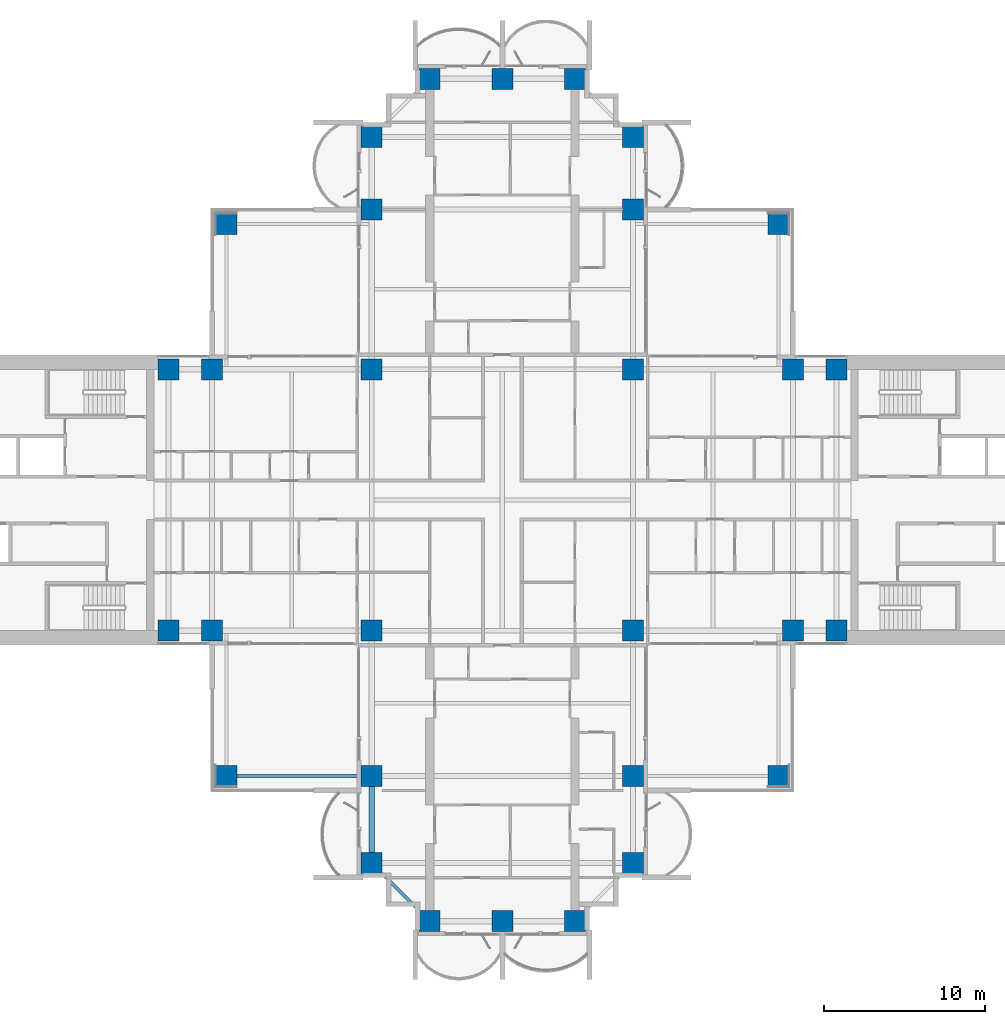
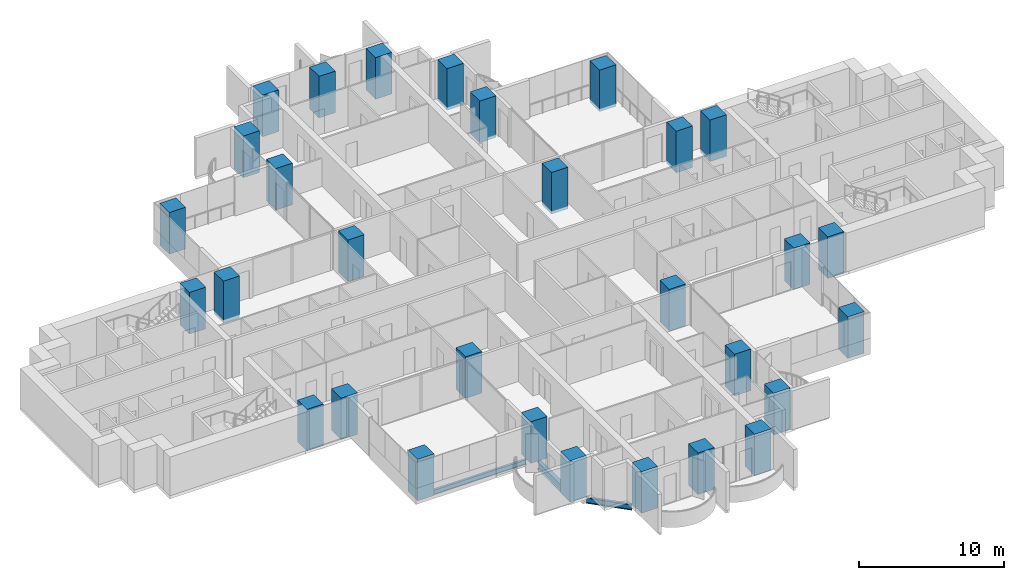
# One storey, part 1 of 21: 30 columns, 3 beams.
"""IFC4 building model written with IfcOpenShell, lengths in metres."""

from ifc_helpers import new_model, si_unit, direction, frame, origin, origin_2d, place, context, subcontext, project, spatial, rectangle, i_section, extrude, material, material_profile, profile_set, type_object, element, save


model = new_model("IFC4")

# Units and contexts
model_context = context("Model", 3, precision=1e-05, world=origin(), true_north=direction((0.0, 1.0)))
body_context = subcontext(model_context, "Body", "Model", "MODEL_VIEW")
ifc_project = project(units=[si_unit("LENGTHUNIT", "METRE"), si_unit("AREAUNIT", "SQUARE_METRE"), si_unit("VOLUMEUNIT", "CUBIC_METRE"), si_unit("PLANEANGLEUNIT", "RADIAN"), si_unit("MASSUNIT", "GRAM", prefix="KILO")], contexts=[model_context])

# Site, building, storey
site_placement = place(None, origin())
site = spatial("IfcSite", under=ifc_project, at=site_placement, CompositionType="ELEMENT")
building_placement = place(site_placement, origin())
building = spatial("IfcBuilding", under=site, at=building_placement, Name="Perihelion Cross Residences", CompositionType="ELEMENT")
storey_placement = place(building_placement, frame((0.0, 0.0, 54.0)))
storey = spatial("IfcBuildingStorey", under=building, at=storey_placement, Name="L10", CompositionType="ELEMENT", Elevation=54.0)

# Columns
ifc_material_1 = material(Name="Concrete C70/85", Category="concrete")
ifc_material_profile_1 = material_profile(ifc_material_1, rectangle(XDim=1.300048828125, YDim=1.300048828125, at=origin_2d()), Name="RC 1300x1300")
ifc_profile_set_1 = profile_set([ifc_material_profile_1], Name="Concrete C70/85")
column_type = type_object("IfcColumnType", Name="Reinforced concrete column 1300x1300 C70/85", PredefinedType="COLUMN", material=ifc_profile_set_1)
for number, where, z_axis, x_axis, name in (
    (1, (-20.699951171875, -8.10009765625, -0.25), (0.0, 0.0, 1.0), (1.0, 0.0, 0.0), "Column C017 L10 no. 1"),
    (2, (-20.699951171875, 8.10009765625, -0.25), (0.0, 0.0, 1.0), (1.0, 0.0, 0.0), "Column C010 L10 no. 1"),
    (3, (-18.0, -8.10009765625, -0.25), (0.0, 0.0, 1.0), (1.0, 0.0, 0.0), "Column C018 L10 no. 1"),
    (4, (-18.0, 8.10009765625, -0.25), (0.0, 0.0, 1.0), (1.0, 0.0, 0.0), "Column C011 L10 no. 1"),
    (5, (-8.10009765625, -22.5, -0.25), (0.0, 0.0, 1.0), (1.0, 0.0, 0.0), "Column C040 L10 no. 1"),
    (6, (-8.10009765625, -17.10009765625, -0.25), (0.0, 0.0, 1.0), (1.0, 0.0, 0.0), "Column C031 L10 no. 1"),
    (7, (-8.10009765625, -8.10009765625, -0.25), (0.0, 0.0, 1.0), (1.0, 0.0, 0.0), "Column C019 L10 no. 1"),
    (8, (-8.10009765625, 8.10009765625, -0.25), (0.0, 0.0, 1.0), (1.0, 0.0, 0.0), "Column C012 L10 no. 1"),
    (9, (-8.10009765625, 18.0, -0.25), (0.0, 0.0, 1.0), (1.0, 0.0, 0.0), "Column C006 L10 no. 1"),
    (10, (-8.10009765625, 22.5, -0.25), (0.0, 0.0, 1.0), (1.0, 0.0, 0.0), "Column C004 L10 no. 1"),
    (11, (-4.5, -26.10009765625, -0.25), (0.0, 0.0, 1.0), (1.0, 0.0, 0.0), "Column C042 L10 no. 1"),
    (12, (-4.5, 26.10009765625, -0.25), (0.0, 0.0, 1.0), (1.0, 0.0, 0.0), "Column C001 L10 no. 1"),
    (13, (0.0, -26.10009765625, -0.25), (0.0, 0.0, 1.0), (1.0, 0.0, 0.0), "Column C043 L10 no. 1"),
    (14, (0.0, 26.10009765625, -0.25), (0.0, 0.0, 1.0), (1.0, 0.0, 0.0), "Column C002 L10 no. 1"),
    (15, (4.5, -26.10009765625, -0.25), (0.0, 0.0, 1.0), (1.0, 0.0, 0.0), "Column C044 L10 no. 1"),
    (16, (4.5, 26.10009765625, -0.25), (0.0, 0.0, 1.0), (1.0, 0.0, 0.0), "Column C003 L10 no. 1"),
    (17, (8.10009765625, -22.5, -0.25), (0.0, 0.0, 1.0), (1.0, 0.0, 0.0), "Column C041 L10 no. 1"),
    (18, (8.10009765625, -17.10009765625, -0.25), (0.0, 0.0, 1.0), (1.0, 0.0, 0.0), "Column C035 L10 no. 1"),
    (19, (8.10009765625, -8.10009765625, -0.25), (0.0, 0.0, 1.0), (1.0, 0.0, 0.0), "Column C020 L10 no. 1"),
    (20, (8.10009765625, 8.10009765625, -0.25), (0.0, 0.0, 1.0), (1.0, 0.0, 0.0), "Column C014 L10 no. 1"),
    (21, (8.10009765625, 18.0, -0.25), (0.0, 0.0, 1.0), (1.0, 0.0, 0.0), "Column C007 L10 no. 1"),
    (22, (8.10009765625, 22.5, -0.25), (0.0, 0.0, 1.0), (1.0, 0.0, 0.0), "Column C005 L10 no. 1"),
    (23, (18.0, -8.10009765625, -0.25), (0.0, 0.0, 1.0), (1.0, 0.0, 0.0), "Column C021 L10 no. 1"),
    (24, (18.0, 8.10009765625, -0.25), (0.0, 0.0, 1.0), (1.0, 0.0, 0.0), "Column C015 L10 no. 1"),
    (25, (20.699951171875, -8.10009765625, -0.25), (0.0, 0.0, 1.0), (1.0, 0.0, 0.0), "Column C022 L10 no. 1"),
    (26, (20.699951171875, 8.10009765625, -0.25), (0.0, 0.0, 1.0), (1.0, 0.0, 0.0), "Column C016 L10 no. 1"),
    (27, (17.10009765625, 17.10009765625, -0.25), (0.0, 0.0, 1.0), (1.0, 0.0, 0.0), "Column C009 L10 no. 1"),
    (28, (-17.10009765625, 17.10009765625, -0.25), (0.0, 0.0, 1.0), (1.0, 0.0, 0.0), "Column C008 L10 no. 1"),
    (29, (-17.10009765625, -17.10009765625, -0.25), (0.0, 0.0, 1.0), (1.0, 0.0, 0.0), "Column C030 L10 no. 1"),
    (30, (17.10009765625, -17.10009765625, -0.25), (0.0, 0.0, 1.0), (1.0, 0.0, 0.0), "Column C036 L10 no. 1"),
):
    element("IfcColumn", number, at=place(storey_placement, frame(where, z_axis=z_axis, x_axis=x_axis)), inside=storey, type_object=column_type, Name=name, PredefinedType="COLUMN", context=body_context, shape_type="SweptSolid", body=[
        extrude(rectangle(XDim=1.300048828125, YDim=1.300048828125, at=origin_2d()), origin(), (0.0, 0.0, 1.0), 3.5),
    ])

# Beams
ifc_material_2 = material(Name="Steel S355", Category="steel")
ifc_material_profile_2 = material_profile(ifc_material_2, i_section(OverallWidth=0.177978515625, OverallDepth=0.406005859375, WebThickness=0.0078125, FlangeThickness=0.0126953125, at=origin_2d()), Name="W410x60")
ifc_profile_set_2 = profile_set([ifc_material_profile_2], Name="Steel S355")
beam_type_1 = type_object("IfcBeamType", Name="Core edge beam W410x60", PredefinedType="BEAM", material=ifc_profile_set_2)
beam_1_placement = place(storey_placement, frame((-8.75, -17.10009765625, -0.452880859375), z_axis=(-1.0, 0.0, 0.0), x_axis=(0.0, -1.0, 0.0)))
element("IfcBeam", 31, at=beam_1_placement, inside=storey, type_object=beam_type_1, Name="Core edge beam TB2 L10 corner no. 2", PredefinedType="BEAM", context=body_context, shape_type="SweptSolid", body=[
    extrude(i_section(OverallWidth=0.177978515625, OverallDepth=0.406005859375, WebThickness=0.0078125, FlangeThickness=0.0126953125, at=origin_2d()), origin(), (0.0, 0.0, 1.0), 7.699951171875),
])
ifc_material_3 = material(Name="Steel S355", Category="steel")
ifc_material_profile_3 = material_profile(ifc_material_3, i_section(OverallWidth=0.324951171875, OverallDepth=0.616943359375, WebThickness=0.013916015625, FlangeThickness=0.021484375, at=origin_2d()), Name="W610x174")
ifc_profile_set_3 = profile_set([ifc_material_profile_3], Name="Steel S355")
beam_type_2 = type_object("IfcBeamType", Name="Edge beam W610x174", PredefinedType="SPANDREL", material=ifc_profile_set_3)
beam_2_placement = place(storey_placement, frame((-8.10009765625, -17.75, -0.55859375), z_axis=(0.0, -1.0, 0.0), x_axis=(1.0, 0.0, 0.0)))
element("IfcBeam", 32, at=beam_2_placement, inside=storey, type_object=beam_type_2, Name="Edge beam SB2 L10 no. 5", PredefinedType="SPANDREL", context=body_context, shape_type="SweptSolid", body=[
    extrude(i_section(OverallWidth=0.324951171875, OverallDepth=0.616943359375, WebThickness=0.013916015625, FlangeThickness=0.021484375, at=origin_2d()), origin(), (0.0, 0.0, 1.0), 4.10009765625),
])
ifc_material_4 = material(Name="Steel S355", Category="steel")
ifc_material_profile_4 = material_profile(ifc_material_4, i_section(OverallWidth=0.194091796875, OverallDepth=0.469970703125, WebThickness=0.0126953125, FlangeThickness=0.0205078125, at=origin_2d()), Name="W460x106")
ifc_profile_set_4 = profile_set([ifc_material_profile_4], Name="Steel S355")
beam_type_3 = type_object("IfcBeamType", Name="Serration edge beam W460x106", PredefinedType="BEAM", material=ifc_profile_set_4)
beam_3_placement = place(storey_placement, frame((-7.449951171875, -23.14990234375, -0.485107421875), z_axis=(0.707106781187, -0.707106781187, 0.0), x_axis=(0.707106781187, 0.707106781187, 0.0)))
element("IfcBeam", 33, at=beam_3_placement, inside=storey, type_object=beam_type_3, Name="Serration edge beam EB2 L10 no. 2", PredefinedType="BEAM", context=body_context, shape_type="SweptSolid", body=[
    extrude(i_section(OverallWidth=0.194091796875, OverallDepth=0.469970703125, WebThickness=0.0126953125, FlangeThickness=0.0205078125, at=origin_2d()), origin(), (0.0, 0.0, 1.0), 3.252685546875),
])

save(model, "model.ifc")
